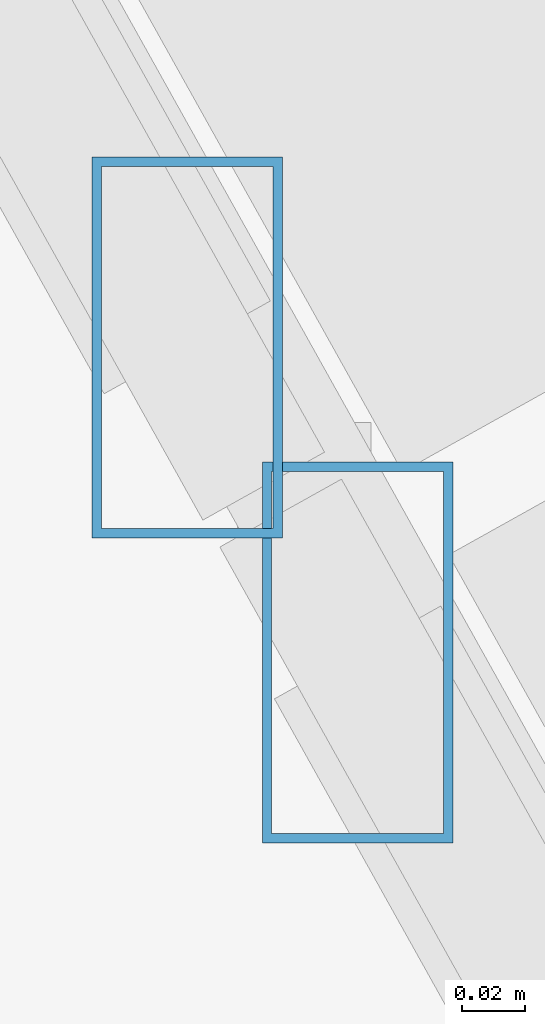
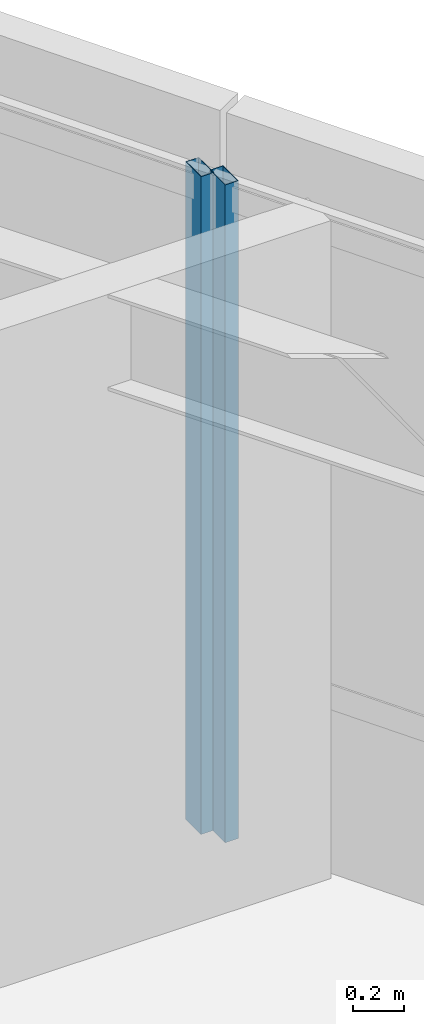
# One storey, part 30 of 44: 2 members, 2 elements without a shape of their own.
"""IFC4 building model written with IfcOpenShell, lengths in metres."""

from ifc_helpers import new_model, si_unit, direction, frame, origin, origin_2d, place, context, subcontext, project, spatial, hollow_rectangle, extrude, source, transform, mapped, material, material_profile, profile_set, type_object, type_shapes, element, aggregate, save


model = new_model("IFC4")

# Units and contexts
model_context = context("Model", 3, precision=1e-05, world=origin(), true_north=direction((0.0, 1.0)))
body_context = subcontext(model_context, "Body", "Model", "MODEL_VIEW")
ifc_project = project(units=[si_unit("LENGTHUNIT", "METRE"), si_unit("AREAUNIT", "SQUARE_METRE"), si_unit("VOLUMEUNIT", "CUBIC_METRE"), si_unit("PLANEANGLEUNIT", "RADIAN"), si_unit("MASSUNIT", "GRAM", prefix="KILO")], contexts=[model_context])

# Site, building, storey
site_placement = place(None, origin())
site = spatial("IfcSite", under=ifc_project, at=site_placement, CompositionType="ELEMENT")
building_placement = place(site_placement, origin())
building = spatial("IfcBuilding", under=site, at=building_placement, Name="Caelisora Broadcast Tower", CompositionType="ELEMENT")
storey_placement = place(building_placement, frame((0.0, 0.0, 289.800048828125)))
storey = spatial("IfcBuildingStorey", under=building, at=storey_placement, Name="L76", CompositionType="ELEMENT", Elevation=289.800048828125)

# Curtain wall, member
ifc_material_1 = material(Name="Unitised Aluminium Insulated Shadow-Box Spandrel Curtain Wall", Category="aluminium")
curtain_wall_type = type_object("IfcCurtainWallType", Name="CW-SP3", PredefinedType="NOTDEFINED", material=ifc_material_1)
curtain_wall_1_placement = place(storey_placement, origin())
curtain_wall_1 = element("IfcCurtainWall", 1, at=curtain_wall_1_placement, inside=storey, type_object=curtain_wall_type, Name="L76 curtain wall CW-SP3", PredefinedType="NOTDEFINED")
ifc_material_2 = material(Name="Aluminium 6063-T6 Anodised Terracotta Bronze", Category="aluminium")
ifc_material_profile = material_profile(ifc_material_2, hollow_rectangle(XDim=0.06005859375, YDim=0.1201171875, WallThickness=0.0029296875, at=origin_2d()), Name="Aluminium 6063-T6 Anodised Terracotta Bronze")
ifc_profile_set = profile_set([ifc_material_profile], Name="Aluminium 6063-T6 Anodised Terracotta Bronze")
member_type = type_object("IfcMemberType", Name="CWM-04", PredefinedType="MULLION", material=ifc_profile_set)
shared_shape = source(origin(), body_context, "Body", "SweptSolid", [
    extrude(hollow_rectangle(XDim=0.06005859375, YDim=0.1201171875, WallThickness=0.0029296875, at=origin_2d()), origin(), (0.0, 0.0, 1.0), 3.14990234375),
])
type_shapes(member_type, [shared_shape])
member_1_placement = place(storey_placement, frame((54.20849609375, 25.484375, 0.0), z_axis=(0.0, 0.0, 1.0), x_axis=(1.0, 0.0, 0.0)))
member_1 = element("IfcMember", 2, at=member_1_placement, type_object=member_type, Name="L76-CW-B02 mullion #3", PredefinedType="MULLION", context=body_context, shape_type="MappedRepresentation", body=[
    mapped(shared_shape, transform((0.0, 0.0, 0.0), scale=1.0)),
])
aggregate(curtain_wall_1, [member_1])

curtain_wall_2_placement = place(storey_placement, origin())
curtain_wall_2 = element("IfcCurtainWall", 3, at=curtain_wall_2_placement, inside=storey, type_object=curtain_wall_type, Name="L76 curtain wall CW-SP3", PredefinedType="NOTDEFINED")
member_2_placement = place(storey_placement, frame((54.26220703125, 25.38818359375, 0.0), z_axis=(0.0, 0.0, 1.0), x_axis=(1.0, 0.0, 0.0)))
member_2 = element("IfcMember", 4, at=member_2_placement, type_object=member_type, Name="L76-CW-B03 mullion #0", PredefinedType="MULLION", context=body_context, shape_type="MappedRepresentation", body=[
    mapped(shared_shape, transform((0.0, 0.0, 0.0), scale=1.0)),
])
aggregate(curtain_wall_2, [member_2])

save(model, "model.ifc")
